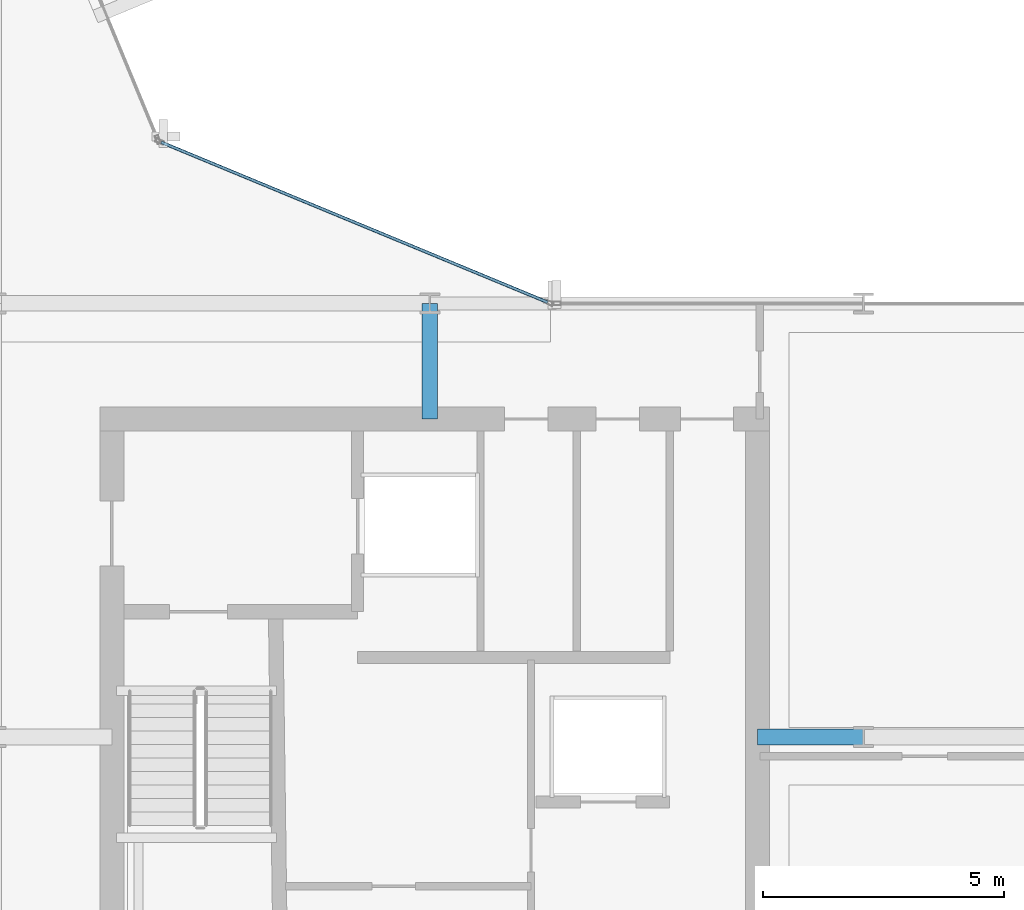
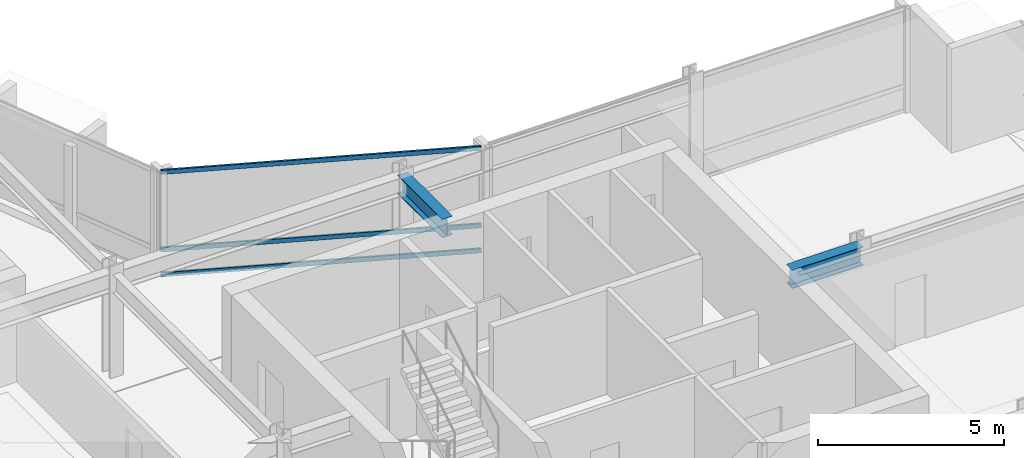
# One storey, part 12 of 28: 3 members, 2 beams, 1 element without a shape of its own.
"""IFC4 building model written with IfcOpenShell, lengths in metres."""

from ifc_helpers import new_model, si_unit, direction, frame, origin, origin_2d, place, context, subcontext, project, spatial, hollow_rectangle, i_section, extrude, material, layer, layer_set, material_profile, profile_set, type_object, element, aggregate, save


model = new_model("IFC4")

# Units and contexts
model_context = context("Model", 3, precision=1e-05, world=origin(), true_north=direction((0.0, 1.0)))
body_context = subcontext(model_context, "Body", "Model", "MODEL_VIEW")
ifc_project = project(units=[si_unit("LENGTHUNIT", "METRE"), si_unit("AREAUNIT", "SQUARE_METRE"), si_unit("VOLUMEUNIT", "CUBIC_METRE"), si_unit("PLANEANGLEUNIT", "RADIAN"), si_unit("MASSUNIT", "GRAM", prefix="KILO")], contexts=[model_context])

# Site, building, storey
site_placement = place(None, origin())
site = spatial("IfcSite", under=ifc_project, at=site_placement, CompositionType="ELEMENT")
building_placement = place(site_placement, origin())
building = spatial("IfcBuilding", under=site, at=building_placement, Name="Solvaryn Broadcast Tower", CompositionType="ELEMENT")
storey_placement = place(building_placement, frame((0.0, 0.0, 154.39990234375)))
storey = spatial("IfcBuildingStorey", under=building, at=storey_placement, Name="L38", CompositionType="ELEMENT", Elevation=154.39990234375)

# Beams
ifc_material_1 = material(Name="Steel ASTM A992 Grade 50", Category="steel")
ifc_material_profile_1 = material_profile(ifc_material_1, i_section(OverallWidth=0.323974609375, OverallDepth=0.611083984375, WebThickness=0.0126953125, FlangeThickness=0.01904296875, FilletRadius=0.014892578125, at=origin_2d()))
ifc_profile_set_1 = profile_set([ifc_material_profile_1], Name="Steel ASTM A992 Grade 50")
beam_type = type_object("IfcBeamType", Name="BM-B1-W24X104", PredefinedType="BEAM", material=ifc_profile_set_1)
beam_1_placement = place(storey_placement, frame((36.0, 24.60009765625, 3.114501953125), z_axis=(0.0, 1.0, 0.0), x_axis=(-1.0, 0.0, 0.0)))
element("IfcBeam", 1, at=beam_1_placement, inside=storey, type_object=beam_type, Name="L38 Core Tie Beam CTE2", PredefinedType="BEAM", context=body_context, shape_type="SweptSolid", body=[
    extrude(i_section(OverallWidth=0.323974609375, OverallDepth=0.611083984375, WebThickness=0.0126953125, FlangeThickness=0.01904296875, FilletRadius=0.014892578125, at=origin_2d()), origin(), (0.0, 0.0, 1.0), 2.39990234375),
])
beam_2_placement = place(storey_placement, frame((42.800048828125, 18.0, 3.114501953125), z_axis=(1.0, 0.0, 0.0), x_axis=(0.0, 1.0, 0.0)))
element("IfcBeam", 2, at=beam_2_placement, inside=storey, type_object=beam_type, Name="L38 Core Tie Beam CTE3", PredefinedType="BEAM", context=body_context, shape_type="SweptSolid", body=[
    extrude(i_section(OverallWidth=0.323974609375, OverallDepth=0.611083984375, WebThickness=0.0126953125, FlangeThickness=0.01904296875, FilletRadius=0.014892578125, at=origin_2d()), origin(), (0.0, 0.0, 1.0), 2.199951171875),
])

# Curtain wall, members
ifc_material_2 = material(Name="Aluminium and Terracotta Unitised Curtain Wall", Category="masonry")
ifc_layer = layer(ifc_material_2, 0.199951171875)
ifc_layer_set = layer_set([ifc_layer], Name="CW-SYS2-LOWMID")
curtain_wall_type = type_object("IfcCurtainWallType", Name="CW-SYS2-LOWMID", PredefinedType="NOTDEFINED", material=ifc_layer_set)
curtain_wall_placement = place(storey_placement, origin())
curtain_wall = element("IfcCurtainWall", 3, at=curtain_wall_placement, inside=storey, type_object=curtain_wall_type, Name="L38 Curtain Wall CN1", PredefinedType="NOTDEFINED")
ifc_material_3 = material(Name="Anodised Aluminium 6063-T6", Category="aluminium")
ifc_material_profile_2 = material_profile(ifc_material_3, hollow_rectangle(XDim=0.06494140625, YDim=0.14990234375, WallThickness=0.00390625, InnerFilletRadius=0.00390625, OuterFilletRadius=0.008056640625, at=origin_2d()))
ifc_profile_set_2 = profile_set([ifc_material_profile_2], Name="Anodised Aluminium 6063-T6")
member_type = type_object("IfcMemberType", Name="CW-TRN-150", PredefinedType="USERDEFINED", material=ifc_profile_set_2)
member_1_placement = place(storey_placement, frame((38.444580078125, 27.02294921875, 0.030029296875), z_axis=(-0.923899282177, 0.382635748975, 0.0), x_axis=(-0.382635748975, -0.923899282177, 0.0)))
member_1 = element("IfcMember", 4, at=member_1_placement, type_object=member_type, Name="CWS2 transom 1.1", ObjectType="TRANSOM", PredefinedType="USERDEFINED", context=body_context, shape_type="SweptSolid", body=[
    extrude(hollow_rectangle(XDim=0.06494140625, YDim=0.14990234375, WallThickness=0.00390625, InnerFilletRadius=0.00390625, OuterFilletRadius=0.008056640625, at=origin_2d()), origin(), (0.0, 0.0, 1.0), 8.681884765625),
])
member_2_placement = place(storey_placement, frame((38.444580078125, 27.02294921875, 0.85009765625), z_axis=(-0.923899282177, 0.382635748975, 0.0), x_axis=(-0.382635748975, -0.923899282177, 0.0)))
member_2 = element("IfcMember", 5, at=member_2_placement, type_object=member_type, Name="CWS2 transom 1.2", ObjectType="TRANSOM", PredefinedType="USERDEFINED", context=body_context, shape_type="SweptSolid", body=[
    extrude(hollow_rectangle(XDim=0.06494140625, YDim=0.14990234375, WallThickness=0.00390625, InnerFilletRadius=0.00390625, OuterFilletRadius=0.008056640625, at=origin_2d()), origin(), (0.0, 0.0, 1.0), 8.681884765625),
])
member_3_placement = place(storey_placement, frame((38.444580078125, 27.02294921875, 3.39013671875), z_axis=(-0.923899282177, 0.382635748975, 0.0), x_axis=(-0.382635748975, -0.923899282177, 0.0)))
member_3 = element("IfcMember", 6, at=member_3_placement, type_object=member_type, Name="CWS2 transom 1.3", ObjectType="TRANSOM", PredefinedType="USERDEFINED", context=body_context, shape_type="SweptSolid", body=[
    extrude(hollow_rectangle(XDim=0.06494140625, YDim=0.14990234375, WallThickness=0.00390625, InnerFilletRadius=0.00390625, OuterFilletRadius=0.008056640625, at=origin_2d()), origin(), (0.0, 0.0, 1.0), 8.681884765625),
])
aggregate(curtain_wall, [member_1, member_2, member_3])

save(model, "model.ifc")
